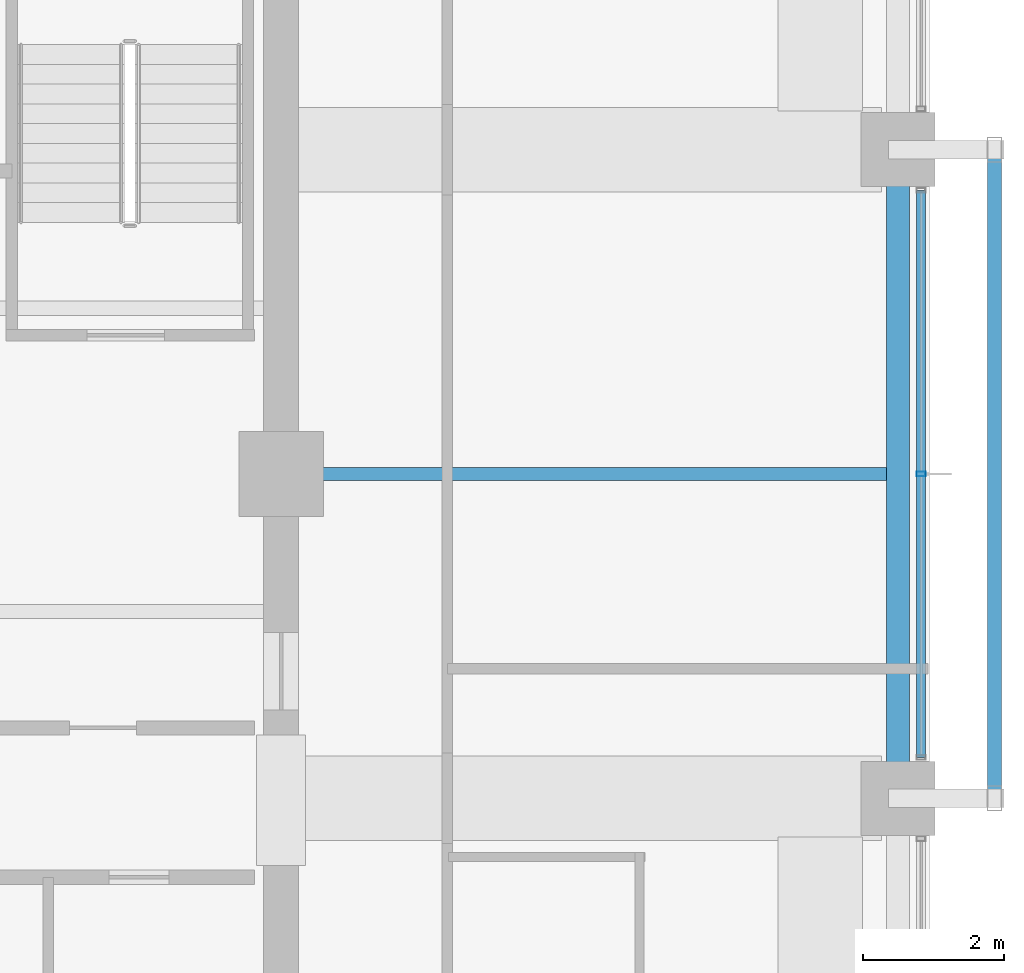
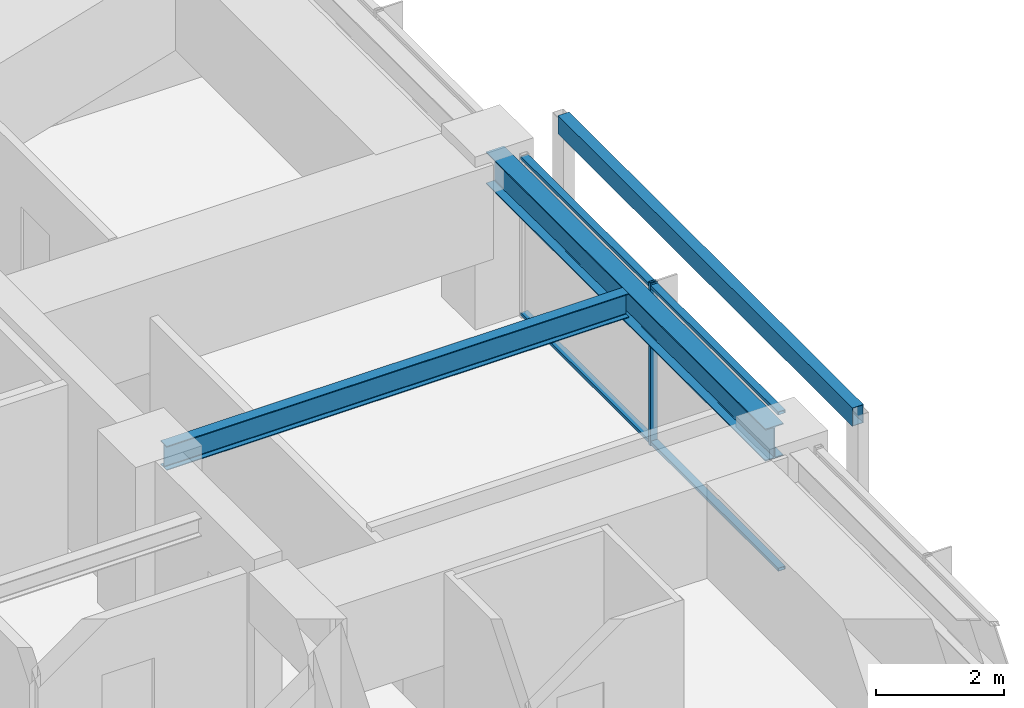
# One storey, part 12 of 28: 4 members, 2 beams, 1 element without a shape of its own.
"""IFC4 building model written with IfcOpenShell, lengths in metres."""

from ifc_helpers import new_model, si_unit, direction, frame, origin, origin_2d, place, context, subcontext, project, spatial, hollow_rectangle, i_section, extrude, material, material_profile, profile_set, type_object, element, aggregate, save


model = new_model("IFC4")

# Units and contexts
model_context = context("Model", 3, precision=1e-05, world=origin(), true_north=direction((0.0, 1.0)))
body_context = subcontext(model_context, "Body", "Model", "MODEL_VIEW")
ifc_project = project(units=[si_unit("LENGTHUNIT", "METRE"), si_unit("AREAUNIT", "SQUARE_METRE"), si_unit("VOLUMEUNIT", "CUBIC_METRE"), si_unit("PLANEANGLEUNIT", "RADIAN"), si_unit("MASSUNIT", "GRAM", prefix="KILO")], contexts=[model_context])

# Site, building, storey
site_placement = place(None, origin())
site = spatial("IfcSite", under=ifc_project, at=site_placement, CompositionType="ELEMENT")
building_placement = place(site_placement, origin())
building = spatial("IfcBuilding", under=site, at=building_placement, Name="Kolvaren Belvedere", CompositionType="ELEMENT")
storey_placement = place(building_placement, frame((0.0, 0.0, 125.0)))
storey = spatial("IfcBuildingStorey", under=building, at=storey_placement, Name="L36", CompositionType="ELEMENT", Elevation=125.0)

# Beams
ifc_material_1 = material(Name="Structural steel ASTM A992 Grade 50", Category="steel")
ifc_material_profile_1 = material_profile(ifc_material_1, i_section(OverallWidth=0.19091796875, OverallDepth=0.4599609375, WebThickness=0.010009765625, FlangeThickness=0.01611328125, FilletRadius=0.014892578125, at=origin_2d()), Name="W18X55")
ifc_profile_set_1 = profile_set([ifc_material_profile_1], Name="Structural steel ASTM A992 Grade 50")
beam_type_1 = type_object("IfcBeamType", Name="BM-JOIST-W18X55", PredefinedType="BEAM", material=ifc_profile_set_1)
beam_1_placement = place(storey_placement, frame((10.14990234375, 0.0, 2.8701171875), z_axis=(1.0, 0.0, 0.0), x_axis=(0.0, 1.0, 0.0)))
element("IfcBeam", 1, at=beam_1_placement, inside=storey, type_object=beam_type_1, Name="L36 East Centre Floor Beam", PredefinedType="BEAM", context=body_context, shape_type="SweptSolid", body=[
    extrude(i_section(OverallWidth=0.19091796875, OverallDepth=0.4599609375, WebThickness=0.010009765625, FlangeThickness=0.01611328125, FilletRadius=0.014892578125, at=origin_2d()), origin(), (0.0, 0.0, 1.0), 8.337646484375),
])
ifc_material_2 = material(Name="Structural steel ASTM A992 Grade 50", Category="steel")
ifc_material_profile_2 = material_profile(ifc_material_2, i_section(OverallWidth=0.324951171875, OverallDepth=0.615966796875, WebThickness=0.013916015625, FlangeThickness=0.021484375, FilletRadius=0.02001953125, at=origin_2d()), Name="W24X117")
ifc_profile_set_2 = profile_set([ifc_material_profile_2], Name="Structural steel ASTM A992 Grade 50")
beam_type_2 = type_object("IfcBeamType", Name="BM-SPAN-W24X117", PredefinedType="SPANDREL", material=ifc_profile_set_2)
beam_2_placement = place(storey_placement, frame((18.64990234375, -4.36376953125, 2.7919921875), z_axis=(0.0, 1.0, 0.0), x_axis=(-1.0, 0.0, 0.0)))
element("IfcBeam", 2, at=beam_2_placement, inside=storey, type_object=beam_type_2, Name="L36 Perimeter Spandrel E2-E3", PredefinedType="SPANDREL", context=body_context, shape_type="SweptSolid", body=[
    extrude(i_section(OverallWidth=0.324951171875, OverallDepth=0.615966796875, WebThickness=0.013916015625, FlangeThickness=0.021484375, FilletRadius=0.02001953125, at=origin_2d()), origin(), (0.0, 0.0, 1.0), 8.7275390625),
])

# Curtain wall, members
ifc_material_3 = material(Name="Anodised pale-metal aluminium AA 6063-T6", Category="aluminium")
curtain_wall_type = type_object("IfcCurtainWallType", Name="CW-Z3-WAIST", PredefinedType="NOTDEFINED", material=ifc_material_3)
curtain_wall_placement = place(storey_placement, origin())
curtain_wall = element("IfcCurtainWall", 3, at=curtain_wall_placement, inside=storey, type_object=curtain_wall_type, Name="L36 Unitised Curtain Wall FCW-L36-E-B2", PredefinedType="NOTDEFINED")
ifc_material_4 = material(Name="Anodised pale-metal aluminium AA 6063-T6", Category="aluminium")
ifc_material_profile_3 = material_profile(ifc_material_4, hollow_rectangle(XDim=0.06494140625, YDim=0.1298828125, WallThickness=0.00390625, at=origin_2d()), Name="ALU-MUL-130X65")
ifc_profile_set_3 = profile_set([ifc_material_profile_3], Name="Anodised pale-metal aluminium AA 6063-T6")
member_type_1 = type_object("IfcMemberType", Name="CW-MUL-130", PredefinedType="MULLION", material=ifc_profile_set_3)
member_1_placement = place(storey_placement, frame((18.97998046875, 0.0, 0.0), z_axis=(0.0, 0.0, 1.0), x_axis=(0.0, 1.0, 0.0)))
member_1 = element("IfcMember", 4, at=member_1_placement, type_object=member_type_1, Name="FCW-L36-E-B2 Unitised Mullion 2", PredefinedType="MULLION", context=body_context, shape_type="SweptSolid", body=[
    extrude(hollow_rectangle(XDim=0.06494140625, YDim=0.1298828125, WallThickness=0.00390625, at=origin_2d()), origin(), (0.0, 0.0, 1.0), 3.10009765625),
])
ifc_material_5 = material(Name="Anodised pale-metal aluminium AA 6063-T6", Category="aluminium")
ifc_material_profile_4 = material_profile(ifc_material_5, hollow_rectangle(XDim=0.06005859375, YDim=0.1298828125, WallThickness=0.00390625, at=origin_2d()), Name="ALU-TRN-130X60")
ifc_profile_set_4 = profile_set([ifc_material_profile_4], Name="Anodised pale-metal aluminium AA 6063-T6")
member_type_2 = type_object("IfcMemberType", Name="CW-TRN-130", PredefinedType="USERDEFINED", material=ifc_profile_set_4)
member_2_placement = place(storey_placement, frame((18.97998046875, 4.0224609375, 0.06005859375), z_axis=(0.0, -1.0, 0.0), x_axis=(0.0, 0.0, 1.0)))
member_2 = element("IfcMember", 5, at=member_2_placement, type_object=member_type_2, Name="FCW-L36-E-B2 Sill Transom", ObjectType="TRANSOM", PredefinedType="USERDEFINED", context=body_context, shape_type="SweptSolid", body=[
    extrude(hollow_rectangle(XDim=0.06005859375, YDim=0.1298828125, WallThickness=0.00390625, at=origin_2d()), origin(), (0.0, 0.0, 1.0), 8.044921875),
])
member_3_placement = place(storey_placement, frame((18.97998046875, 4.0224609375, 3.0400390625), z_axis=(0.0, -1.0, 0.0), x_axis=(0.0, 0.0, 1.0)))
member_3 = element("IfcMember", 6, at=member_3_placement, type_object=member_type_2, Name="FCW-L36-E-B2 Head Transom", ObjectType="TRANSOM", PredefinedType="USERDEFINED", context=body_context, shape_type="SweptSolid", body=[
    extrude(hollow_rectangle(XDim=0.06005859375, YDim=0.1298828125, WallThickness=0.00390625, at=origin_2d()), origin(), (0.0, 0.0, 1.0), 8.044921875),
])
aggregate(curtain_wall, [member_1, member_2, member_3])

# Member
ifc_material_6 = material(Name="Anodised pale-metal aluminium AA 6063-T6", Category="aluminium")
ifc_material_profile_5 = material_profile(ifc_material_6, hollow_rectangle(XDim=0.199951171875, YDim=0.35009765625, WallThickness=0.007568359375, at=origin_2d()), Name="ALU-PF-350X200")
ifc_profile_set_5 = profile_set([ifc_material_profile_5], Name="Anodised pale-metal aluminium AA 6063-T6")
member_type_3 = type_object("IfcMemberType", Name="PF-FRAME-350", PredefinedType="USERDEFINED", material=ifc_profile_set_5)
member_4_placement = place(storey_placement, frame((20.02001953125, 4.60009765625, 2.969970703125), z_axis=(0.0, -1.0, 0.0), x_axis=(1.0, 0.0, 0.0)))
element("IfcMember", 7, at=member_4_placement, inside=storey, type_object=member_type_3, Name="L36 Outboard Picture-Frame Head E", ObjectType="PICTURE FRAME FIN", PredefinedType="USERDEFINED", context=body_context, shape_type="SweptSolid", body=[
    extrude(hollow_rectangle(XDim=0.199951171875, YDim=0.35009765625, WallThickness=0.007568359375, at=origin_2d()), origin(), (0.0, 0.0, 1.0), 9.2001953125),
])

save(model, "model.ifc")
